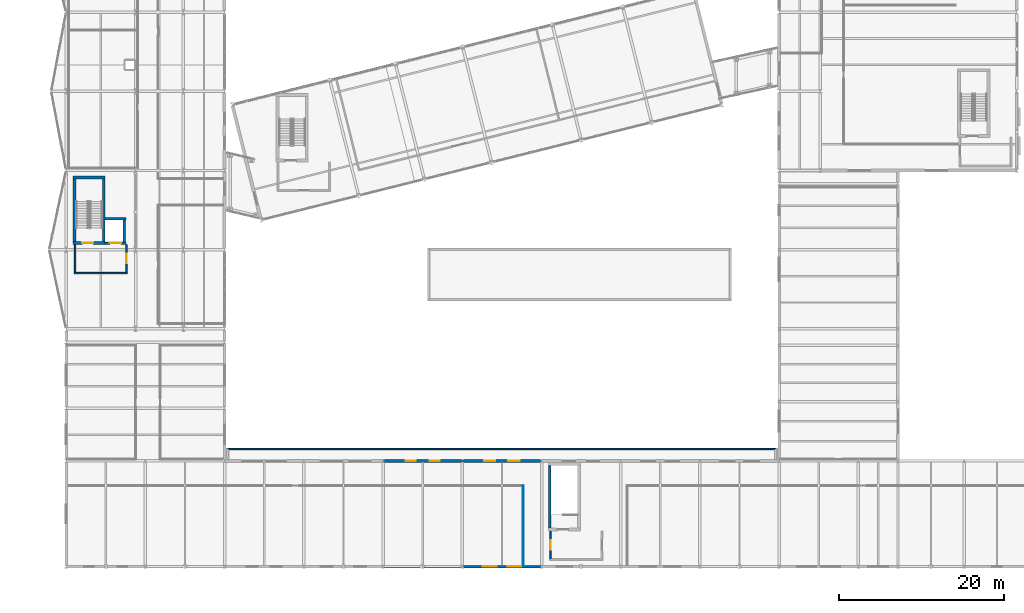
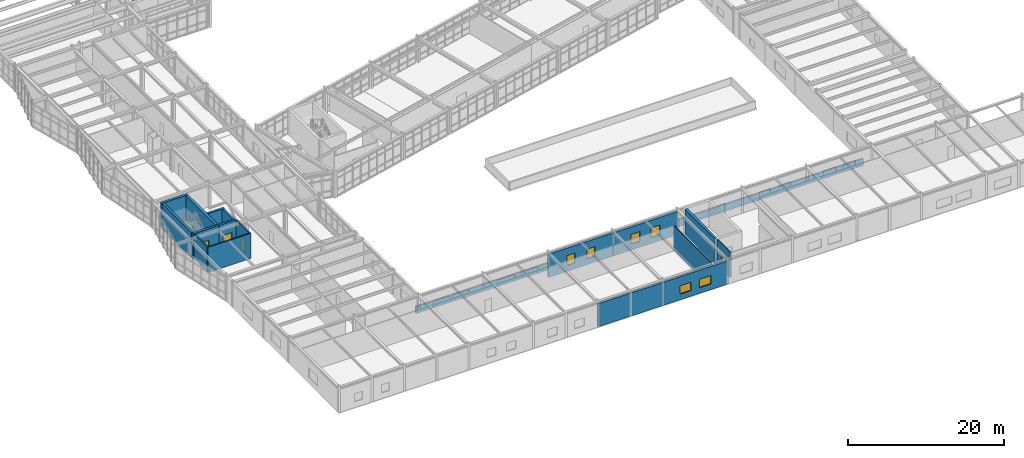
# One storey, part 79 of 99: 18 walls, 6 windows, 4 doors, 10 openings.
"""IFC4 building model written with IfcOpenShell, lengths in metres."""

import ifcopenshell
import ifcopenshell.guid

model = None  # the IFC model being written
_history = None  # IfcOwnerHistory: only IFC2X3 demands one
_inside = {}  # id of a spatial element -> (the spatial element, [elements in it])
_under = {}  # id of a project, library or spatial element -> (it, [spatial elements below it])
_declared = {}  # id of a project -> (the project, [libraries it declares])
_typed = {}  # id of a type object -> (the type object, [elements of that type])
_made_of = {}  # id of a material, layer set ... -> (it, [elements and type objects made of it])


def new_model(schema):
    """Start an empty IFC model of exactly this schema.

    Asked for "IFC4X3", IfcOpenShell would pick the latest addendum, in which some entities
    have other attributes; the version numbers below select the first issue.
    IFC2X3 requires an IfcOwnerHistory on every rooted entity: one is made here for all.
    """
    global model, _history
    if schema == "IFC4X3":
        model = ifcopenshell.file(schema_version=(4, 3, 0, 0))
    else:
        model = ifcopenshell.file(schema=schema)
    _inside.clear()
    _under.clear()
    _declared.clear()
    _typed.clear()
    _made_of.clear()
    _history = None
    if model.schema == "IFC2X3":
        org = make("IfcOrganization", Name="unknown")
        user = make(
            "IfcPersonAndOrganization",
            ThePerson=make("IfcPerson", FamilyName="unknown"),
            TheOrganization=org,
        )
        app = make(
            "IfcApplication",
            ApplicationDeveloper=org,
            Version="unknown",
            ApplicationFullName="unknown",
            ApplicationIdentifier="unknown",
        )
        _history = make(
            "IfcOwnerHistory",
            OwningUser=user,
            OwningApplication=app,
            ChangeAction="ADDED",
            CreationDate=0,
        )
    return model


def make(cls, **values):
    """One entity of the class cls with the attributes given. An attribute that is None is left unset."""
    return model.create_entity(
        cls, **{name: value for name, value in values.items() if value is not None}
    )


def rooted(cls, **values):
    """An entity with a GlobalId (a new one), such as an element, a storey or a relation."""
    return make(cls, GlobalId=ifcopenshell.guid.new(), OwnerHistory=_history, **values)


def si_unit(unit_type, name, prefix=None):
    """IfcSIUnit, for example si_unit("LENGTHUNIT", "METRE", prefix="MILLI")."""
    return make("IfcSIUnit", UnitType=unit_type, Prefix=prefix, Name=name)


def assignment(units):
    """IfcUnitAssignment: the units of a project."""
    return None if units is None else make("IfcUnitAssignment", Units=units)


def point(xyz):
    """IfcCartesianPoint."""
    return None if xyz is None else make("IfcCartesianPoint", Coordinates=xyz)


def direction(xyz):
    """IfcDirection."""
    return None if xyz is None else make("IfcDirection", DirectionRatios=xyz)


def frame(location, z_axis=None, x_axis=None):
    """IfcAxis2Placement3D, a coordinate frame: its origin and axes. An axis left out is left unset."""
    return make(
        "IfcAxis2Placement3D",
        Location=point(location),
        Axis=direction(z_axis),
        RefDirection=direction(x_axis),
    )


def frame_2d(location, x_axis=None):
    """IfcAxis2Placement2D, a coordinate frame in the plane: its origin and x axis."""
    return make(
        "IfcAxis2Placement2D", Location=point(location), RefDirection=direction(x_axis)
    )


def origin():
    """The frame at (0, 0, 0) with its axes left unset."""
    return frame((0.0, 0.0, 0.0))


def place(relative_to, where):
    """IfcLocalPlacement: puts the frame where relative to a parent placement (None: the world)."""
    return make(
        "IfcLocalPlacement", PlacementRelTo=relative_to, RelativePlacement=where
    )


def context(
    kind, dimensions, precision=None, world=None, true_north=None, identifier=None
):
    """IfcGeometricRepresentationContext, for example the 3D "Model" context."""
    return make(
        "IfcGeometricRepresentationContext",
        ContextIdentifier=identifier,
        ContextType=kind,
        CoordinateSpaceDimension=dimensions,
        Precision=precision,
        WorldCoordinateSystem=world,
        TrueNorth=true_north,
    )


def subcontext(parent, identifier, kind, view, scale=None):
    """IfcGeometricRepresentationSubContext, for example "Body" below "Model"."""
    return make(
        "IfcGeometricRepresentationSubContext",
        ContextIdentifier=identifier,
        ContextType=kind,
        ParentContext=parent,
        TargetScale=scale,
        TargetView=view,
    )


def project(units=None, contexts=None):
    """IfcProject with its units and contexts."""
    return rooted(
        "IfcProject",
        Name="project",
        RepresentationContexts=contexts,
        UnitsInContext=assignment(units),
    )


def spatial(cls, under=None, at=None, **own):
    """A site, building, storey or space (cls), placed at a placement, below another one or the project."""
    s = rooted(cls, ObjectPlacement=at, **own)
    if under is not None:
        _under.setdefault(under.id(), (under, []))[1].append(s)
    return s


def profile(cls, at=None, kind="AREA", **sizes):
    """A parametric profile (cls). Its sizes go by their IFC names, for example OverallWidth=200.0."""
    return make(cls, ProfileType=kind, Position=at, **sizes)


def rectangle(**sizes):
    """IfcRectangleProfileDef."""
    return profile("IfcRectangleProfileDef", **sizes)


def extrude(swept, where, along, depth):
    """IfcExtrudedAreaSolid: the profile swept, set in the frame where, extruded along a direction by depth."""
    return make(
        "IfcExtrudedAreaSolid",
        SweptArea=swept,
        Position=where,
        ExtrudedDirection=direction(along),
        Depth=depth,
    )


def shape(context_of_items, identifier, shape_type, items):
    """IfcShapeRepresentation: the items that make up one representation, for example the "Body"."""
    return make(
        "IfcShapeRepresentation",
        ContextOfItems=context_of_items,
        RepresentationIdentifier=identifier,
        RepresentationType=shape_type,
        Items=items,
    )


def material(Name=None, Category=None):
    """IfcMaterial."""
    return make("IfcMaterial", Name=Name, Category=Category)


def layer(
    of_material, thickness, ventilated=None, Name=None, Category=None, Priority=None
):
    """IfcMaterialLayer: one layer of a wall or slab, of a material (None: an air gap)."""
    return make(
        "IfcMaterialLayer",
        Material=of_material,
        LayerThickness=thickness,
        IsVentilated=ventilated,
        Name=Name,
        Category=Category,
        Priority=Priority,
    )


def layer_set(layers, Name=None):
    """IfcMaterialLayerSet."""
    return make("IfcMaterialLayerSet", MaterialLayers=layers, LayerSetName=Name)


def made_of(thing, what):
    """Note that an element or type object is made of a material, layer set ...; save() writes the relation."""
    if what is not None:
        _made_of.setdefault(what.id(), (what, []))[1].append(thing)
    return thing


def type_object(cls, material=None, **own):
    """A type object (cls), such as IfcWallType, which elements share."""
    return made_of(rooted(cls, **own), material)


def element(
    cls,
    number,
    at=None,
    inside=None,
    cuts=None,
    type_object=None,
    material=None,
    context=None,
    identifier="Body",
    shape_type=None,
    held_by="IfcProductDefinitionShape",
    body=None,
    shapes=None,
    **own,
):
    """One element of the class cls, such as IfcWall. Its Tag is "e" and its number.

    at: its placement. inside: the storey or other place that contains it. cuts: it is an
    opening in that element (IfcRelVoidsElement). A single representation is given by context,
    identifier, shape_type and body (its items); several are given by shapes. held_by: the class
    of the entity that holds the representations. save() writes the other relations.
    """
    e = rooted(cls, Tag="e%d" % number, ObjectPlacement=at, **own)
    if body is not None:
        shapes = [shape(context, identifier, shape_type, body)]
    if shapes is not None:
        e.Representation = make(held_by, Representations=shapes)
    if inside is not None:
        _inside.setdefault(inside.id(), (inside, []))[1].append(e)
    if cuts is not None:
        rooted(
            "IfcRelVoidsElement", RelatingBuildingElement=cuts, RelatedOpeningElement=e
        )
    if type_object is not None:
        _typed.setdefault(type_object.id(), (type_object, []))[1].append(e)
    return made_of(e, material)


def fill(opening, filler):
    """IfcRelFillsElement: the door or window that sits in an opening."""
    return rooted(
        "IfcRelFillsElement",
        RelatingOpeningElement=opening,
        RelatedBuildingElement=filler,
    )


def aggregate(whole, parts):
    """IfcRelAggregates: a whole, such as a stair, and the parts it consists of."""
    return rooted("IfcRelAggregates", RelatingObject=whole, RelatedObjects=parts)


def save(model, path):
    """Write the relations noted so far, then the file.

    IfcRelAggregates (storeys below a building ...), IfcRelContainedInSpatialStructure (elements
    in a storey), IfcRelDefinesByType, IfcRelAssociatesMaterial and IfcRelDeclares: one each for
    every whole, place, type object, material and project.
    """
    for whole, parts in _under.values():
        aggregate(whole, parts)
    for where, things in _inside.values():
        rooted(
            "IfcRelContainedInSpatialStructure",
            RelatedElements=things,
            RelatingStructure=where,
        )
    for kind, things in _typed.values():
        rooted("IfcRelDefinesByType", RelatedObjects=things, RelatingType=kind)
    for what, things in _made_of.values():
        rooted("IfcRelAssociatesMaterial", RelatedObjects=things, RelatingMaterial=what)
    for by, libraries in _declared.values():
        rooted("IfcRelDeclares", RelatingContext=by, RelatedDefinitions=libraries)
    model.write(path)


model = new_model("IFC4")

# Units and contexts
model_context = context("Model", 3, precision=1e-05, world=origin(), true_north=direction((0.0, 1.0)))
body_context = subcontext(model_context, "Body", "Model", "MODEL_VIEW")
ifc_project = project(units=[si_unit("LENGTHUNIT", "METRE"), si_unit("AREAUNIT", "SQUARE_METRE"), si_unit("VOLUMEUNIT", "CUBIC_METRE"), si_unit("PLANEANGLEUNIT", "RADIAN"), si_unit("MASSUNIT", "GRAM", prefix="KILO")], contexts=[model_context])

# Site, building, storey
site_placement = place(None, origin())
site = spatial("IfcSite", under=ifc_project, at=site_placement, CompositionType="ELEMENT")
building_placement = place(site_placement, origin())
building = spatial("IfcBuilding", under=site, at=building_placement, Name="Nordkorset Police Headquarters", CompositionType="ELEMENT")
storey_placement = place(building_placement, frame((0.0, 0.0, 5.25)))
storey = spatial("IfcBuildingStorey", under=building, at=storey_placement, Name="L01", CompositionType="ELEMENT", Elevation=5.25)

# Walls
ifc_material_1 = material(Name="Gypsum board", Category="gypsum")
ifc_layer_1 = layer(ifc_material_1, 0.179931640625, Name="Gypsum board")
ifc_layer_set_1 = layer_set([ifc_layer_1], Name="Gypsum board")
wall_type_1 = type_object("IfcWallType", Name="Wall_Comp_180", PredefinedType="PARTITIONING", material=ifc_layer_set_1)
wall_1_placement = place(storey_placement, frame((1.0, 35.56005859375, 0.0), z_axis=(0.0, 0.0, 1.0), x_axis=(1.0, 0.0, 0.0)))
element("IfcWall", 1, at=wall_1_placement, inside=storey, type_object=wall_type_1, Name="Firefighting Lobby EI 60 Wall K4 L01 S", PredefinedType="PARTITIONING", context=body_context, shape_type="SweptSolid", body=[
    extrude(rectangle(XDim=6.39990234375, YDim=0.179931640625, at=frame_2d((3.199951171875, 0.0))), origin(), (0.0, 0.0, 1.0), 3.9599609375),
])
wall_2_placement = place(storey_placement, frame((1.090087890625, 35.64990234375, 0.0), z_axis=(0.0, 0.0, 1.0), x_axis=(0.0, 1.0, 0.0)))
element("IfcWall", 2, at=wall_2_placement, inside=storey, type_object=wall_type_1, Name="Firefighting Lobby EI 60 Wall K4 L01 W", PredefinedType="PARTITIONING", context=body_context, shape_type="SweptSolid", body=[
    extrude(rectangle(XDim=3.375, YDim=0.179931640625, at=frame_2d((1.6875, 0.0))), origin(), (0.0, 0.0, 1.0), 3.9599609375),
])

# Wall, opening, door
wall_3_placement = place(storey_placement, frame((7.31005859375, 35.64990234375, 0.0), z_axis=(0.0, 0.0, 1.0), x_axis=(0.0, 1.0, 0.0)))
wall_3 = element("IfcWall", 3, at=wall_3_placement, inside=storey, type_object=wall_type_1, Name="Firefighting Lobby EI 60 Wall K4 L01 E", PredefinedType="PARTITIONING", context=body_context, shape_type="SweptSolid", body=[
    extrude(rectangle(XDim=3.375, YDim=0.179931640625, at=frame_2d((1.6875, 0.0))), origin(), (0.0, 0.0, 1.0), 3.9599609375),
])
opening_1_placement = place(wall_3_placement, frame((1.112548828125, 0.0, 0.0)))
opening_1 = element("IfcOpeningElement", 4, at=opening_1_placement, cuts=wall_3, Name="Opening DR-01", PredefinedType="OPENING", context=body_context, shape_type="SweptSolid", body=[
    extrude(rectangle(XDim=1.14990234375, YDim=2.14990234375, at=frame_2d((0.574951171875, 1.074951171875))), frame((0.0, 0.10009765625, 0.0), z_axis=(0.0, -1.0, 0.0), x_axis=(1.0, 0.0, 0.0)), (0.0, 0.0, 1.0), 0.199951171875),
])
ifc_material_2 = material(Name="Steel S355J2", Category="steel")
door_type_1 = type_object("IfcDoorType", Name="Door_LobbySingle_1150x2150", OperationType="NOTDEFINED", PredefinedType="DOOR", material=ifc_material_2)
door_1_placement = place(opening_1_placement, origin())
door_1 = element("IfcDoor", 5, at=door_1_placement, inside=storey, type_object=door_type_1, Name="Firefighting Lobby Smoke Door K4 L01 E", OperationType="SINGLE_SWING_LEFT", OverallHeight=2.14990234375, OverallWidth=1.14990234375, PredefinedType="DOOR", context=body_context, shape_type="SweptSolid", body=[
    extrude(rectangle(XDim=1.14990234375, YDim=2.14990234375, at=frame_2d((0.574951171875, 1.074951171875))), frame((0.0, 0.02490234375, 0.0), z_axis=(0.0, -1.0, 0.0), x_axis=(1.0, 0.0, 0.0)), (0.0, 0.0, 1.0), 0.050048828125),
])
fill(opening_1, door_1)

wall_4_placement = place(storey_placement, frame((58.68994140625, 0.929931640625, 0.0), z_axis=(0.0, 0.0, 1.0), x_axis=(0.0, 1.0, 0.0)))
wall_4 = element("IfcWall", 6, at=wall_4_placement, inside=storey, type_object=wall_type_1, Name="Firefighting Lobby EI 60 Wall K9 L01 W", PredefinedType="PARTITIONING", context=body_context, shape_type="SweptSolid", body=[
    extrude(rectangle(XDim=3.375, YDim=0.179931640625, at=frame_2d((1.6875, 0.0))), origin(), (0.0, 0.0, 1.0), 3.9599609375),
])
opening_2_placement = place(wall_4_placement, frame((1.112548828125, 0.0, 0.0)))
opening_2 = element("IfcOpeningElement", 7, at=opening_2_placement, cuts=wall_4, Name="Opening DR-01", PredefinedType="OPENING", context=body_context, shape_type="SweptSolid", body=[
    extrude(rectangle(XDim=1.14990234375, YDim=2.14990234375, at=frame_2d((0.574951171875, 1.074951171875))), frame((0.0, 0.10009765625, 0.0), z_axis=(0.0, -1.0, 0.0), x_axis=(1.0, 0.0, 0.0)), (0.0, 0.0, 1.0), 0.199951171875),
])
door_2_placement = place(opening_2_placement, origin())
door_2 = element("IfcDoor", 8, at=door_2_placement, inside=storey, type_object=door_type_1, Name="Firefighting Lobby Smoke Door K9 L01 W", OperationType="SINGLE_SWING_LEFT", OverallHeight=2.14990234375, OverallWidth=1.14990234375, PredefinedType="DOOR", context=body_context, shape_type="SweptSolid", body=[
    extrude(rectangle(XDim=1.14990234375, YDim=2.14990234375, at=frame_2d((0.574951171875, 1.074951171875))), frame((0.0, 0.02490234375, 0.0), z_axis=(0.0, -1.0, 0.0), x_axis=(1.0, 0.0, 0.0)), (0.0, 0.0, 1.0), 0.050048828125),
])
fill(opening_2, door_2)

ifc_material_3 = material(Name="Concrete C35/45", Category="concrete")
ifc_layer_2 = layer(ifc_material_3, 0.35009765625, Name="Concrete C35/45")
ifc_layer_set_2 = layer_set([ifc_layer_2], Name="Concrete C35/45")
wall_type_2 = type_object("IfcWallType", Name="Wall_CoreShear_350", PredefinedType="SHEAR", material=ifc_layer_set_2)
wall_5_placement = place(storey_placement, frame((0.824951171875, 39.199951171875, 0.0), z_axis=(0.0, 0.0, 1.0), x_axis=(1.0, 0.0, 0.0)))
wall_5 = element("IfcWall", 9, at=wall_5_placement, inside=storey, type_object=wall_type_2, Name="Core K4 Stair Shaft South Shear Wall L01", PredefinedType="SHEAR", context=body_context, shape_type="SweptSolid", body=[
    extrude(rectangle(XDim=3.900146484375, YDim=0.35009765625, at=frame_2d((1.9501953125, 0.0))), origin(), (0.0, 0.0, 1.0), 3.9599609375),
])
opening_3_placement = place(wall_5_placement, frame((1.125, 0.0, 0.0)))
opening_3 = element("IfcOpeningElement", 10, at=opening_3_placement, cuts=wall_5, Name="Opening DR-20", PredefinedType="OPENING", context=body_context, shape_type="SweptSolid", body=[
    extrude(rectangle(XDim=1.300048828125, YDim=2.14990234375, at=frame_2d((0.64990234375, 1.074951171875))), frame((0.0, 0.18505859375, 0.0), z_axis=(0.0, -1.0, 0.0), x_axis=(1.0, 0.0, 0.0)), (0.0, 0.0, 1.0), 0.3701171875),
])
ifc_material_4 = material(Name="Steel S355J2", Category="steel")
door_type_2 = type_object("IfcDoorType", Name="Door_Stair_1300x2150", OperationType="NOTDEFINED", PredefinedType="DOOR", material=ifc_material_4)
door_3_placement = place(opening_3_placement, frame((1.300048828125, 0.0, 0.0), z_axis=(0.0, 0.0, 1.0), x_axis=(-1.0, 0.0, 0.0)))
door_3 = element("IfcDoor", 11, at=door_3_placement, inside=storey, type_object=door_type_2, Name="Protected Stair Fire Door ST-04 L01", OperationType="SINGLE_SWING_RIGHT", OverallHeight=2.14990234375, OverallWidth=1.300048828125, PredefinedType="DOOR", context=body_context, shape_type="SweptSolid", body=[
    extrude(rectangle(XDim=1.300048828125, YDim=2.14990234375, at=frame_2d((0.64990234375, 1.074951171875))), frame((0.0, 0.02490234375, 0.0), z_axis=(0.0, -1.0, 0.0), x_axis=(1.0, 0.0, 0.0)), (0.0, 0.0, 1.0), 0.050048828125),
])
fill(opening_3, door_3)

# Walls
wall_6_placement = place(storey_placement, frame((0.824951171875, 47.14990234375, 0.0), z_axis=(0.0, 0.0, 1.0), x_axis=(1.0, 0.0, 0.0)))
element("IfcWall", 12, at=wall_6_placement, inside=storey, type_object=wall_type_2, Name="Core K4 Stair Shaft North Shear Wall L01", PredefinedType="SHEAR", context=body_context, shape_type="SweptSolid", body=[
    extrude(rectangle(XDim=3.900146484375, YDim=0.35009765625, at=frame_2d((1.9501953125, 0.0))), origin(), (0.0, 0.0, 1.0), 3.9599609375),
])
for number, where, z_axis, x_axis, name in (
    (13, (1.0, 39.375, 0.0), (0.0, 0.0, 1.0), (0.0, 1.0, 0.0), "Core K4 Stair Shaft West Shear Wall L01"),
    (14, (4.550048828125, 39.375, 0.0), (0.0, 0.0, 1.0), (0.0, 1.0, 0.0), "Core K4 Stair Shaft East Shear Wall L01"),
):
    element("IfcWall", number, at=place(storey_placement, frame(where, z_axis=z_axis, x_axis=x_axis)), inside=storey, type_object=wall_type_2, Name=name, PredefinedType="SHEAR", context=body_context, shape_type="SweptSolid", body=[
        extrude(rectangle(XDim=7.60009765625, YDim=0.35009765625, at=frame_2d((3.800048828125, 0.0))), origin(), (0.0, 0.0, 1.0), 3.9599609375),
    ])
wall_7_placement = place(storey_placement, frame((58.60009765625, 4.655029296875, 0.0), z_axis=(0.0, 0.0, 1.0), x_axis=(0.0, 1.0, 0.0)))
element("IfcWall", 15, at=wall_7_placement, inside=storey, type_object=wall_type_2, Name="Core K9 Stair Shaft West Shear Wall L01", PredefinedType="SHEAR", context=body_context, shape_type="SweptSolid", body=[
    extrude(rectangle(XDim=7.599853515625, YDim=0.35009765625, at=frame_2d((3.7998046875, 0.0))), origin(), (0.0, 0.0, 1.0), 3.9599609375),
])
ifc_material_5 = material(Name="Precast concrete C40/50", Category="concrete")
ifc_layer_3 = layer(ifc_material_5, 0.320068359375, Name="Precast concrete C40/50")
ifc_layer_set_3 = layer_set([ifc_layer_3], Name="Precast concrete C40/50")
wall_type_3 = type_object("IfcWallType", Name="Wall_ExtPlinth_320", PredefinedType="SOLIDWALL", material=ifc_layer_set_3)
wall_8_placement = place(storey_placement, frame((38.407958984375, 0.0, 0.0), z_axis=(0.0, 0.0, 1.0), x_axis=(1.0, 0.0, 0.0)))
element("IfcWall", 16, at=wall_8_placement, inside=storey, type_object=wall_type_3, Name="Exterior Insulated Precast Wall L01 V7S-4", PredefinedType="SOLIDWALL", context=body_context, shape_type="SweptSolid", body=[
    extrude(rectangle(XDim=9.583984375, YDim=0.320068359375, at=frame_2d((4.7919921875, 0.0))), origin(), (0.0, 0.0, 1.0), 3.635009765625),
])

# Wall, openings, windows
wall_9_placement = place(storey_placement, frame((48.008056640625, 0.0, 0.0), z_axis=(0.0, 0.0, 1.0), x_axis=(1.0, 0.0, 0.0)))
wall_9 = element("IfcWall", 17, at=wall_9_placement, inside=storey, type_object=wall_type_3, Name="Exterior Insulated Precast Wall L01 V7S-5", PredefinedType="SOLIDWALL", context=body_context, shape_type="SweptSolid", body=[
    extrude(rectangle(XDim=9.583984375, YDim=0.320068359375, at=frame_2d((4.7919921875, 0.0))), origin(), (0.0, 0.0, 1.0), 3.635009765625),
])
opening_4_placement = place(wall_9_placement, frame((2.475341796875, 0.0, 0.89990234375)))
opening_4 = element("IfcOpeningElement", 18, at=opening_4_placement, cuts=wall_9, Name="Opening WN-35", PredefinedType="OPENING", context=body_context, shape_type="SweptSolid", body=[
    extrude(rectangle(XDim=1.699951171875, YDim=1.300048828125, at=frame_2d((0.85009765625, 0.64990234375))), frame((0.0, 0.169921875, 0.0), z_axis=(0.0, -1.0, 0.0), x_axis=(1.0, 0.0, 0.0)), (0.0, 0.0, 1.0), 0.340087890625),
])
opening_5_placement = place(wall_9_placement, frame((5.40869140625, 0.0, 0.89990234375)))
opening_5 = element("IfcOpeningElement", 19, at=opening_5_placement, cuts=wall_9, Name="Opening WN-35", PredefinedType="OPENING", context=body_context, shape_type="SweptSolid", body=[
    extrude(rectangle(XDim=1.699951171875, YDim=1.300048828125, at=frame_2d((0.85009765625, 0.64990234375))), frame((0.0, 0.169921875, 0.0), z_axis=(0.0, -1.0, 0.0), x_axis=(1.0, 0.0, 0.0)), (0.0, 0.0, 1.0), 0.340087890625),
])
ifc_material_6 = material(Name="Low-iron triple glazing", Category="glass")
window_type_1 = type_object("IfcWindowType", Name="Win_1700x1300", PartitioningType="SINGLE_PANEL", PredefinedType="WINDOW", material=ifc_material_6)
window_1_placement = place(opening_4_placement, origin())
window_1 = element("IfcWindow", 20, at=window_1_placement, inside=storey, type_object=window_type_1, Name="Triple-Glazed Exterior Window L01 V7S-5-1", OverallHeight=1.300048828125, OverallWidth=1.699951171875, PartitioningType="SINGLE_PANEL", PredefinedType="WINDOW", context=body_context, shape_type="SweptSolid", body=[
    extrude(rectangle(XDim=1.699951171875, YDim=1.300048828125, at=frame_2d((0.85009765625, 0.64990234375))), frame((0.0, 0.030029296875, 0.0), z_axis=(0.0, -1.0, 0.0), x_axis=(1.0, 0.0, 0.0)), (0.0, 0.0, 1.0), 0.06005859375),
])
fill(opening_4, window_1)
window_2_placement = place(opening_5_placement, origin())
window_2 = element("IfcWindow", 21, at=window_2_placement, inside=storey, type_object=window_type_1, Name="Triple-Glazed Exterior Window L01 V7S-5-2", OverallHeight=1.300048828125, OverallWidth=1.699951171875, PartitioningType="SINGLE_PANEL", PredefinedType="WINDOW", context=body_context, shape_type="SweptSolid", body=[
    extrude(rectangle(XDim=1.699951171875, YDim=1.300048828125, at=frame_2d((0.85009765625, 0.64990234375))), frame((0.0, 0.030029296875, 0.0), z_axis=(0.0, -1.0, 0.0), x_axis=(1.0, 0.0, 0.0)), (0.0, 0.0, 1.0), 0.06005859375),
])
fill(opening_5, window_2)

wall_10_placement = place(storey_placement, frame((38.407958984375, 12.800048828125, 0.0), z_axis=(0.0, 0.0, 1.0), x_axis=(1.0, 0.0, 0.0)))
wall_10 = element("IfcWall", 22, at=wall_10_placement, inside=storey, type_object=wall_type_3, Name="Exterior Insulated Precast Wall L01 V7N-4", PredefinedType="SOLIDWALL", context=body_context, shape_type="SweptSolid", body=[
    extrude(rectangle(XDim=9.583984375, YDim=0.320068359375, at=frame_2d((4.7919921875, 0.0))), origin(), (0.0, 0.0, 1.0), 3.635009765625),
])
opening_6_placement = place(wall_10_placement, frame((2.725341796875, 0.0, 0.89990234375)))
opening_6 = element("IfcOpeningElement", 23, at=opening_6_placement, cuts=wall_10, Name="Opening WN-45", PredefinedType="OPENING", context=body_context, shape_type="SweptSolid", body=[
    extrude(rectangle(XDim=1.199951171875, YDim=1.550048828125, at=frame_2d((0.60009765625, 0.77490234375))), frame((0.0, 0.169921875, 0.0), z_axis=(0.0, -1.0, 0.0), x_axis=(1.0, 0.0, 0.0)), (0.0, 0.0, 1.0), 0.340087890625),
])
opening_7_placement = place(wall_10_placement, frame((5.65869140625, 0.0, 0.89990234375)))
opening_7 = element("IfcOpeningElement", 24, at=opening_7_placement, cuts=wall_10, Name="Opening WN-45", PredefinedType="OPENING", context=body_context, shape_type="SweptSolid", body=[
    extrude(rectangle(XDim=1.199951171875, YDim=1.550048828125, at=frame_2d((0.60009765625, 0.77490234375))), frame((0.0, 0.169921875, 0.0), z_axis=(0.0, -1.0, 0.0), x_axis=(1.0, 0.0, 0.0)), (0.0, 0.0, 1.0), 0.340087890625),
])
ifc_material_7 = material(Name="Low-iron triple glazing", Category="glass")
window_type_2 = type_object("IfcWindowType", Name="Win_1200x1550", PartitioningType="SINGLE_PANEL", PredefinedType="WINDOW", material=ifc_material_7)
window_3_placement = place(opening_6_placement, origin())
window_3 = element("IfcWindow", 25, at=window_3_placement, inside=storey, type_object=window_type_2, Name="Triple-Glazed Exterior Window L01 V7N-4-1", OverallHeight=1.550048828125, OverallWidth=1.199951171875, PartitioningType="SINGLE_PANEL", PredefinedType="WINDOW", context=body_context, shape_type="SweptSolid", body=[
    extrude(rectangle(XDim=1.199951171875, YDim=1.550048828125, at=frame_2d((0.60009765625, 0.77490234375))), frame((0.0, 0.030029296875, 0.0), z_axis=(0.0, -1.0, 0.0), x_axis=(1.0, 0.0, 0.0)), (0.0, 0.0, 1.0), 0.06005859375),
])
fill(opening_6, window_3)
window_4_placement = place(opening_7_placement, origin())
window_4 = element("IfcWindow", 26, at=window_4_placement, inside=storey, type_object=window_type_2, Name="Triple-Glazed Exterior Window L01 V7N-4-2", OverallHeight=1.550048828125, OverallWidth=1.199951171875, PartitioningType="SINGLE_PANEL", PredefinedType="WINDOW", context=body_context, shape_type="SweptSolid", body=[
    extrude(rectangle(XDim=1.199951171875, YDim=1.550048828125, at=frame_2d((0.60009765625, 0.77490234375))), frame((0.0, 0.030029296875, 0.0), z_axis=(0.0, -1.0, 0.0), x_axis=(1.0, 0.0, 0.0)), (0.0, 0.0, 1.0), 0.06005859375),
])
fill(opening_7, window_4)

wall_11_placement = place(storey_placement, frame((48.008056640625, 12.800048828125, 0.0), z_axis=(0.0, 0.0, 1.0), x_axis=(1.0, 0.0, 0.0)))
wall_11 = element("IfcWall", 27, at=wall_11_placement, inside=storey, type_object=wall_type_3, Name="Exterior Insulated Precast Wall L01 V7N-5", PredefinedType="SOLIDWALL", context=body_context, shape_type="SweptSolid", body=[
    extrude(rectangle(XDim=9.583984375, YDim=0.320068359375, at=frame_2d((4.7919921875, 0.0))), origin(), (0.0, 0.0, 1.0), 3.635009765625),
])
opening_8_placement = place(wall_11_placement, frame((2.650390625, 0.0, 0.89990234375)))
opening_8 = element("IfcOpeningElement", 28, at=opening_8_placement, cuts=wall_11, Name="Opening WN-22", PredefinedType="OPENING", context=body_context, shape_type="SweptSolid", body=[
    extrude(rectangle(XDim=1.35009765625, YDim=1.550048828125, at=frame_2d((0.675048828125, 0.77490234375))), frame((0.0, 0.169921875, 0.0), z_axis=(0.0, -1.0, 0.0), x_axis=(1.0, 0.0, 0.0)), (0.0, 0.0, 1.0), 0.340087890625),
])
opening_9_placement = place(wall_11_placement, frame((5.583740234375, 0.0, 0.89990234375)))
opening_9 = element("IfcOpeningElement", 29, at=opening_9_placement, cuts=wall_11, Name="Opening WN-22", PredefinedType="OPENING", context=body_context, shape_type="SweptSolid", body=[
    extrude(rectangle(XDim=1.35009765625, YDim=1.550048828125, at=frame_2d((0.675048828125, 0.77490234375))), frame((0.0, 0.169921875, 0.0), z_axis=(0.0, -1.0, 0.0), x_axis=(1.0, 0.0, 0.0)), (0.0, 0.0, 1.0), 0.340087890625),
])
ifc_material_8 = material(Name="Low-iron triple glazing", Category="glass")
window_type_3 = type_object("IfcWindowType", Name="Win_1350x1550", PartitioningType="SINGLE_PANEL", PredefinedType="WINDOW", material=ifc_material_8)
window_5_placement = place(opening_8_placement, origin())
window_5 = element("IfcWindow", 30, at=window_5_placement, inside=storey, type_object=window_type_3, Name="Triple-Glazed Exterior Window L01 V7N-5-1", OverallHeight=1.550048828125, OverallWidth=1.35009765625, PartitioningType="SINGLE_PANEL", PredefinedType="WINDOW", context=body_context, shape_type="SweptSolid", body=[
    extrude(rectangle(XDim=1.35009765625, YDim=1.550048828125, at=frame_2d((0.675048828125, 0.77490234375))), frame((0.0, 0.030029296875, 0.0), z_axis=(0.0, -1.0, 0.0), x_axis=(1.0, 0.0, 0.0)), (0.0, 0.0, 1.0), 0.06005859375),
])
fill(opening_8, window_5)
window_6_placement = place(opening_9_placement, origin())
window_6 = element("IfcWindow", 31, at=window_6_placement, inside=storey, type_object=window_type_3, Name="Triple-Glazed Exterior Window L01 V7N-5-2", OverallHeight=1.550048828125, OverallWidth=1.35009765625, PartitioningType="SINGLE_PANEL", PredefinedType="WINDOW", context=body_context, shape_type="SweptSolid", body=[
    extrude(rectangle(XDim=1.35009765625, YDim=1.550048828125, at=frame_2d((0.675048828125, 0.77490234375))), frame((0.0, 0.030029296875, 0.0), z_axis=(0.0, -1.0, 0.0), x_axis=(1.0, 0.0, 0.0)), (0.0, 0.0, 1.0), 0.06005859375),
])
fill(opening_9, window_6)

# Walls
ifc_material_9 = material(Name="Precast concrete C40/50", Category="concrete")
ifc_layer_4 = layer(ifc_material_9, 0.239990234375, Name="Precast concrete C40/50")
ifc_layer_set_4 = layer_set([ifc_layer_4], Name="Precast concrete C40/50")
wall_type_4 = type_object("IfcWallType", Name="Wall_Parapet_240", PredefinedType="PARAPET", material=ifc_layer_set_4)
wall_12_placement = place(storey_placement, frame((86.0, 14.25, 0.0), z_axis=(0.0, 0.0, 1.0), x_axis=(-1.0, 0.0, 0.0)))
element("IfcWall", 32, at=wall_12_placement, inside=storey, type_object=wall_type_4, Name="Flat Roof Parapet Wall V7STEP-L01-3", PredefinedType="PARAPET", context=body_context, shape_type="SweptSolid", body=[
    extrude(rectangle(XDim=66.39990234375, YDim=0.239990234375, at=frame_2d((33.199951171875, 0.0))), origin(), (0.0, 0.0, 1.0), 1.10009765625),
])
ifc_material_10 = material(Name="Gypsum board", Category="gypsum")
ifc_layer_5 = layer(ifc_material_10, 0.1201171875, Name="Gypsum board")
ifc_layer_set_5 = layer_set([ifc_layer_5], Name="Gypsum board")
wall_type_5 = type_object("IfcWallType", Name="Wall_Part_120", PredefinedType="PARTITIONING", material=ifc_layer_set_5)
wall_13_placement = place(storey_placement, frame((55.39990234375, 0.155029296875, 0.0), z_axis=(0.0, 0.0, 1.0), x_axis=(0.0, 1.0, 0.0)))
element("IfcWall", 33, at=wall_13_placement, inside=storey, type_object=wall_type_5, Name="Interior Partition Wall Fleet Dispatch and Telemetry Office", PredefinedType="PARTITIONING", context=body_context, shape_type="SweptSolid", body=[
    extrude(rectangle(XDim=9.64501953125, YDim=0.1201171875, at=frame_2d((4.822509765625, 0.0))), origin(), (0.0, 0.0, 1.0), 3.9599609375),
])

# Wall, opening, door
ifc_material_11 = material(Name="Concrete C35/45", Category="concrete")
ifc_layer_6 = layer(ifc_material_11, 0.300048828125, Name="Concrete C35/45")
ifc_layer_set_6 = layer_set([ifc_layer_6], Name="Concrete C35/45")
wall_type_6 = type_object("IfcWallType", Name="Wall_ShaftShear_300", PredefinedType="SHEAR", material=ifc_layer_set_6)
wall_14_placement = place(storey_placement, frame((4.72509765625, 39.199951171875, 0.0), z_axis=(0.0, 0.0, 1.0), x_axis=(1.0, 0.0, 0.0)))
wall_14 = element("IfcWall", 34, at=wall_14_placement, inside=storey, type_object=wall_type_6, Name="Lift Shaft LF-06 Front Shear Wall L01", PredefinedType="SHEAR", context=body_context, shape_type="SweptSolid", body=[
    extrude(rectangle(XDim=2.5, YDim=0.300048828125, at=frame_2d((1.25, 0.0))), origin(), (0.0, 0.0, 1.0), 3.9599609375),
])
opening_10_placement = place(wall_14_placement, frame((0.574951171875, 0.0, 0.0)))
opening_10 = element("IfcOpeningElement", 35, at=opening_10_placement, cuts=wall_14, Name="Opening LD-06", PredefinedType="OPENING", context=body_context, shape_type="SweptSolid", body=[
    extrude(rectangle(XDim=1.35009765625, YDim=2.14990234375, at=frame_2d((0.675048828125, 1.074951171875))), frame((0.0, 0.16015625, 0.0), z_axis=(0.0, -1.0, 0.0), x_axis=(1.0, 0.0, 0.0)), (0.0, 0.0, 1.0), 0.320068359375),
])
ifc_material_12 = material(Name="Steel S355J2", Category="steel")
door_type_3 = type_object("IfcDoorType", Name="Door_LiftGoods_1350x2150", OperationType="SLIDING_TO_RIGHT", PredefinedType="DOOR", material=ifc_material_12)
door_4_placement = place(opening_10_placement, frame((1.35009765625, 0.0, 0.0), z_axis=(0.0, 0.0, 1.0), x_axis=(-1.0, 0.0, 0.0)))
door_4 = element("IfcDoor", 36, at=door_4_placement, inside=storey, type_object=door_type_3, Name="Lift Landing Sliding Door LF-06 L01", OperationType="SLIDING_TO_RIGHT", OverallHeight=2.14990234375, OverallWidth=1.35009765625, PredefinedType="DOOR", context=body_context, shape_type="SweptSolid", body=[
    extrude(rectangle(XDim=1.35009765625, YDim=2.14990234375, at=frame_2d((0.675048828125, 1.074951171875))), frame((0.0, 0.02490234375, 0.0), z_axis=(0.0, -1.0, 0.0), x_axis=(1.0, 0.0, 0.0)), (0.0, 0.0, 1.0), 0.050048828125),
])
fill(opening_10, door_4)

# Walls
wall_15_placement = place(storey_placement, frame((4.72509765625, 42.14990234375, 0.0), z_axis=(0.0, 0.0, 1.0), x_axis=(1.0, 0.0, 0.0)))
element("IfcWall", 37, at=wall_15_placement, inside=storey, type_object=wall_type_6, Name="Lift Shaft LF-06 Rear Shear Wall L01", PredefinedType="SHEAR", context=body_context, shape_type="SweptSolid", body=[
    extrude(rectangle(XDim=2.5, YDim=0.300048828125, at=frame_2d((1.25, 0.0))), origin(), (0.0, 0.0, 1.0), 3.9599609375),
])
wall_16_placement = place(storey_placement, frame((7.050048828125, 39.35009765625, 0.0), z_axis=(0.0, 0.0, 1.0), x_axis=(0.0, 1.0, 0.0)))
element("IfcWall", 38, at=wall_16_placement, inside=storey, type_object=wall_type_6, Name="Lift Shaft LF-06 East Shear Wall L01", PredefinedType="SHEAR", context=body_context, shape_type="SweptSolid", body=[
    extrude(rectangle(XDim=2.64990234375, YDim=0.300048828125, at=frame_2d((1.324951171875, 0.0))), origin(), (0.0, 0.0, 1.0), 3.9599609375),
])

save(model, "model.ifc")
